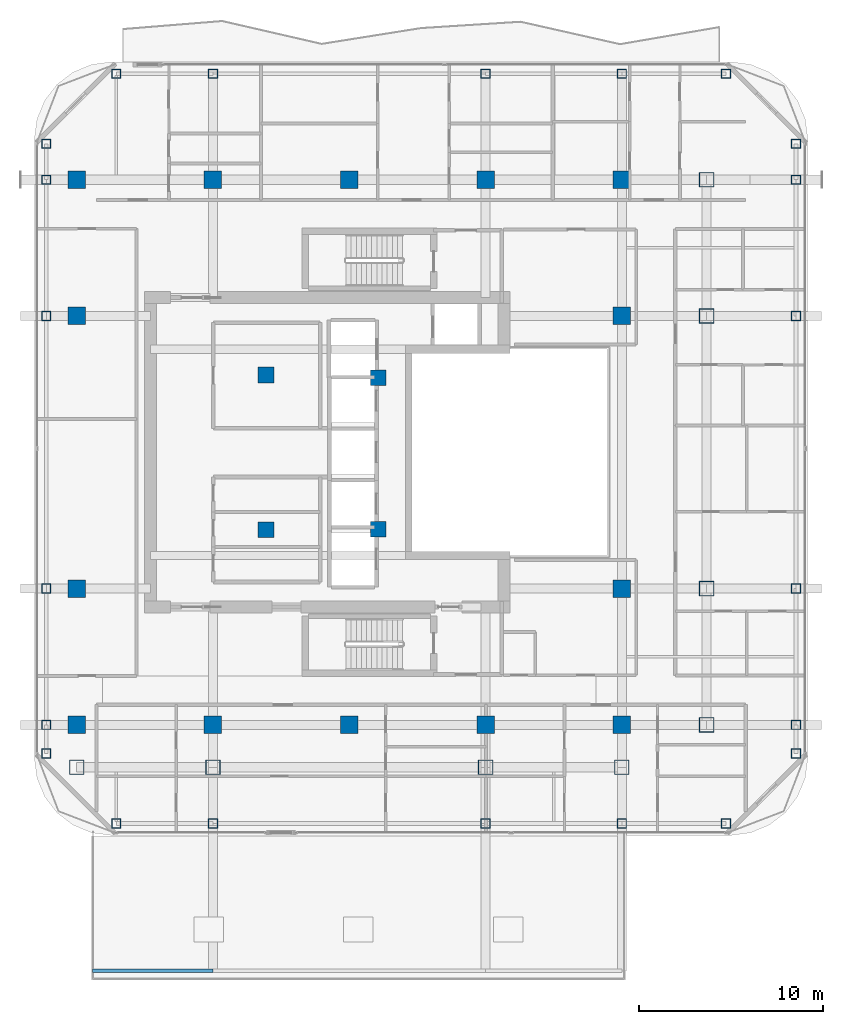
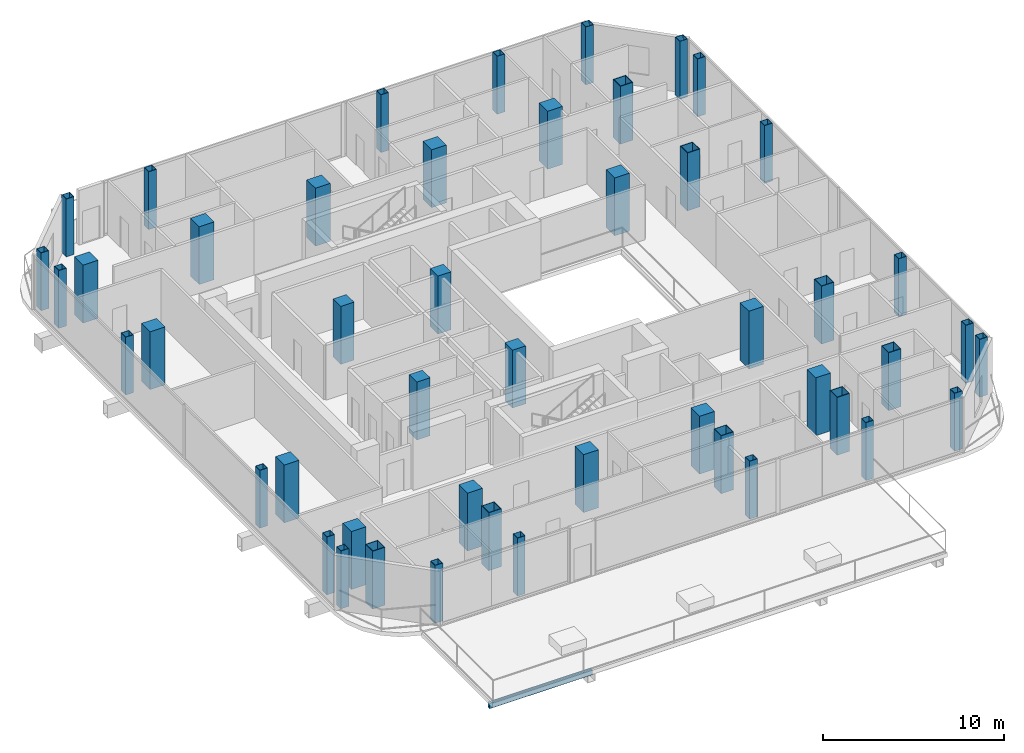
# One storey, part 1 of 25: 48 columns, 1 beam.
"""IFC4 building model written with IfcOpenShell, lengths in metres."""

import ifcopenshell
import ifcopenshell.guid

model = None  # the IFC model being written
_history = None  # IfcOwnerHistory: only IFC2X3 demands one
_inside = {}  # id of a spatial element -> (the spatial element, [elements in it])
_under = {}  # id of a project, library or spatial element -> (it, [spatial elements below it])
_declared = {}  # id of a project -> (the project, [libraries it declares])
_typed = {}  # id of a type object -> (the type object, [elements of that type])
_made_of = {}  # id of a material, layer set ... -> (it, [elements and type objects made of it])


def new_model(schema):
    """Start an empty IFC model of exactly this schema.

    Asked for "IFC4X3", IfcOpenShell would pick the latest addendum, in which some entities
    have other attributes; the version numbers below select the first issue.
    IFC2X3 requires an IfcOwnerHistory on every rooted entity: one is made here for all.
    """
    global model, _history
    if schema == "IFC4X3":
        model = ifcopenshell.file(schema_version=(4, 3, 0, 0))
    else:
        model = ifcopenshell.file(schema=schema)
    _inside.clear()
    _under.clear()
    _declared.clear()
    _typed.clear()
    _made_of.clear()
    _history = None
    if model.schema == "IFC2X3":
        org = make("IfcOrganization", Name="unknown")
        user = make(
            "IfcPersonAndOrganization",
            ThePerson=make("IfcPerson", FamilyName="unknown"),
            TheOrganization=org,
        )
        app = make(
            "IfcApplication",
            ApplicationDeveloper=org,
            Version="unknown",
            ApplicationFullName="unknown",
            ApplicationIdentifier="unknown",
        )
        _history = make(
            "IfcOwnerHistory",
            OwningUser=user,
            OwningApplication=app,
            ChangeAction="ADDED",
            CreationDate=0,
        )
    return model


def make(cls, **values):
    """One entity of the class cls with the attributes given. An attribute that is None is left unset."""
    return model.create_entity(
        cls, **{name: value for name, value in values.items() if value is not None}
    )


def rooted(cls, **values):
    """An entity with a GlobalId (a new one), such as an element, a storey or a relation."""
    return make(cls, GlobalId=ifcopenshell.guid.new(), OwnerHistory=_history, **values)


def si_unit(unit_type, name, prefix=None):
    """IfcSIUnit, for example si_unit("LENGTHUNIT", "METRE", prefix="MILLI")."""
    return make("IfcSIUnit", UnitType=unit_type, Prefix=prefix, Name=name)


def assignment(units):
    """IfcUnitAssignment: the units of a project."""
    return None if units is None else make("IfcUnitAssignment", Units=units)


def point(xyz):
    """IfcCartesianPoint."""
    return None if xyz is None else make("IfcCartesianPoint", Coordinates=xyz)


def direction(xyz):
    """IfcDirection."""
    return None if xyz is None else make("IfcDirection", DirectionRatios=xyz)


def frame(location, z_axis=None, x_axis=None):
    """IfcAxis2Placement3D, a coordinate frame: its origin and axes. An axis left out is left unset."""
    return make(
        "IfcAxis2Placement3D",
        Location=point(location),
        Axis=direction(z_axis),
        RefDirection=direction(x_axis),
    )


def frame_2d(location, x_axis=None):
    """IfcAxis2Placement2D, a coordinate frame in the plane: its origin and x axis."""
    return make(
        "IfcAxis2Placement2D", Location=point(location), RefDirection=direction(x_axis)
    )


def origin():
    """The frame at (0, 0, 0) with its axes left unset."""
    return frame((0.0, 0.0, 0.0))


def origin_2d():
    """The frame at (0, 0) in the plane with its x axis left unset."""
    return frame_2d((0.0, 0.0))


def place(relative_to, where):
    """IfcLocalPlacement: puts the frame where relative to a parent placement (None: the world)."""
    return make(
        "IfcLocalPlacement", PlacementRelTo=relative_to, RelativePlacement=where
    )


def context(
    kind, dimensions, precision=None, world=None, true_north=None, identifier=None
):
    """IfcGeometricRepresentationContext, for example the 3D "Model" context."""
    return make(
        "IfcGeometricRepresentationContext",
        ContextIdentifier=identifier,
        ContextType=kind,
        CoordinateSpaceDimension=dimensions,
        Precision=precision,
        WorldCoordinateSystem=world,
        TrueNorth=true_north,
    )


def subcontext(parent, identifier, kind, view, scale=None):
    """IfcGeometricRepresentationSubContext, for example "Body" below "Model"."""
    return make(
        "IfcGeometricRepresentationSubContext",
        ContextIdentifier=identifier,
        ContextType=kind,
        ParentContext=parent,
        TargetScale=scale,
        TargetView=view,
    )


def project(units=None, contexts=None):
    """IfcProject with its units and contexts."""
    return rooted(
        "IfcProject",
        Name="project",
        RepresentationContexts=contexts,
        UnitsInContext=assignment(units),
    )


def spatial(cls, under=None, at=None, **own):
    """A site, building, storey or space (cls), placed at a placement, below another one or the project."""
    s = rooted(cls, ObjectPlacement=at, **own)
    if under is not None:
        _under.setdefault(under.id(), (under, []))[1].append(s)
    return s


def profile(cls, at=None, kind="AREA", **sizes):
    """A parametric profile (cls). Its sizes go by their IFC names, for example OverallWidth=200.0."""
    return make(cls, ProfileType=kind, Position=at, **sizes)


def rectangle(**sizes):
    """IfcRectangleProfileDef."""
    return profile("IfcRectangleProfileDef", **sizes)


def hollow_rectangle(**sizes):
    """IfcRectangleHollowProfileDef."""
    return profile("IfcRectangleHollowProfileDef", **sizes)


def extrude(swept, where, along, depth):
    """IfcExtrudedAreaSolid: the profile swept, set in the frame where, extruded along a direction by depth."""
    return make(
        "IfcExtrudedAreaSolid",
        SweptArea=swept,
        Position=where,
        ExtrudedDirection=direction(along),
        Depth=depth,
    )


def shape(context_of_items, identifier, shape_type, items):
    """IfcShapeRepresentation: the items that make up one representation, for example the "Body"."""
    return make(
        "IfcShapeRepresentation",
        ContextOfItems=context_of_items,
        RepresentationIdentifier=identifier,
        RepresentationType=shape_type,
        Items=items,
    )


def material(Name=None, Category=None):
    """IfcMaterial."""
    return make("IfcMaterial", Name=Name, Category=Category)


def material_profile(
    of_material, cross_section, Name=None, Category=None, Priority=None
):
    """IfcMaterialProfile: a cross section and its material."""
    return make(
        "IfcMaterialProfile",
        Name=Name,
        Material=of_material,
        Profile=cross_section,
        Priority=Priority,
        Category=Category,
    )


def profile_set(profiles, Name=None, composite=None):
    """IfcMaterialProfileSet."""
    return make(
        "IfcMaterialProfileSet",
        Name=Name,
        MaterialProfiles=profiles,
        CompositeProfile=composite,
    )


def made_of(thing, what):
    """Note that an element or type object is made of a material, layer set ...; save() writes the relation."""
    if what is not None:
        _made_of.setdefault(what.id(), (what, []))[1].append(thing)
    return thing


def type_object(cls, material=None, **own):
    """A type object (cls), such as IfcWallType, which elements share."""
    return made_of(rooted(cls, **own), material)


def element(
    cls,
    number,
    at=None,
    inside=None,
    cuts=None,
    type_object=None,
    material=None,
    context=None,
    identifier="Body",
    shape_type=None,
    held_by="IfcProductDefinitionShape",
    body=None,
    shapes=None,
    **own,
):
    """One element of the class cls, such as IfcWall. Its Tag is "e" and its number.

    at: its placement. inside: the storey or other place that contains it. cuts: it is an
    opening in that element (IfcRelVoidsElement). A single representation is given by context,
    identifier, shape_type and body (its items); several are given by shapes. held_by: the class
    of the entity that holds the representations. save() writes the other relations.
    """
    e = rooted(cls, Tag="e%d" % number, ObjectPlacement=at, **own)
    if body is not None:
        shapes = [shape(context, identifier, shape_type, body)]
    if shapes is not None:
        e.Representation = make(held_by, Representations=shapes)
    if inside is not None:
        _inside.setdefault(inside.id(), (inside, []))[1].append(e)
    if cuts is not None:
        rooted(
            "IfcRelVoidsElement", RelatingBuildingElement=cuts, RelatedOpeningElement=e
        )
    if type_object is not None:
        _typed.setdefault(type_object.id(), (type_object, []))[1].append(e)
    return made_of(e, material)


def aggregate(whole, parts):
    """IfcRelAggregates: a whole, such as a stair, and the parts it consists of."""
    return rooted("IfcRelAggregates", RelatingObject=whole, RelatedObjects=parts)


def save(model, path):
    """Write the relations noted so far, then the file.

    IfcRelAggregates (storeys below a building ...), IfcRelContainedInSpatialStructure (elements
    in a storey), IfcRelDefinesByType, IfcRelAssociatesMaterial and IfcRelDeclares: one each for
    every whole, place, type object, material and project.
    """
    for whole, parts in _under.values():
        aggregate(whole, parts)
    for where, things in _inside.values():
        rooted(
            "IfcRelContainedInSpatialStructure",
            RelatedElements=things,
            RelatingStructure=where,
        )
    for kind, things in _typed.values():
        rooted("IfcRelDefinesByType", RelatedObjects=things, RelatingType=kind)
    for what, things in _made_of.values():
        rooted("IfcRelAssociatesMaterial", RelatedObjects=things, RelatingMaterial=what)
    for by, libraries in _declared.values():
        rooted("IfcRelDeclares", RelatingContext=by, RelatedDefinitions=libraries)
    model.write(path)


model = new_model("IFC4")

# Units and contexts
model_context = context("Model", 3, precision=1e-05, world=origin(), true_north=direction((0.0, 1.0)))
body_context = subcontext(model_context, "Body", "Model", "MODEL_VIEW")
ifc_project = project(units=[si_unit("LENGTHUNIT", "METRE"), si_unit("AREAUNIT", "SQUARE_METRE"), si_unit("VOLUMEUNIT", "CUBIC_METRE"), si_unit("PLANEANGLEUNIT", "RADIAN"), si_unit("MASSUNIT", "GRAM", prefix="KILO")], contexts=[model_context])

# Site, building, storey
site_placement = place(None, origin())
site = spatial("IfcSite", under=ifc_project, at=site_placement, CompositionType="ELEMENT")
building_placement = place(site_placement, origin())
building = spatial("IfcBuilding", under=site, at=building_placement, Name="Khorvyn Point Tower", CompositionType="ELEMENT")
storey_placement = place(building_placement, frame((0.0, 0.0, 254.699951171875)))
storey = spatial("IfcBuildingStorey", under=building, at=storey_placement, Name="L62", CompositionType="ELEMENT", Elevation=254.699951171875)

# Columns
ifc_material_1 = material(Name="Concrete C40/50", Category="concrete")
ifc_material_profile_1 = material_profile(ifc_material_1, rectangle(XDim=0.85009765625, YDim=0.85009765625, at=origin_2d()))
ifc_profile_set_1 = profile_set([ifc_material_profile_1], Name="Concrete C40/50 RC850x850")
column_type_1 = type_object("IfcColumnType", Name="Concrete C40/50 Column RC850x850", PredefinedType="COLUMN", material=ifc_profile_set_1)
for number, where, z_axis, x_axis, name in (
    (1, (-4.52001953125, -4.199951171875, 0.0), (0.0, 0.0, 1.0), (1.0, 0.0, 0.0), "L62 Crown Core Spine Column 1"),
    (2, (1.580078125, -4.179931640625, 0.0), (0.0, 0.0, 1.0), (1.0, 0.0, 0.0), "L62 Crown Core Spine Column 2"),
    (3, (1.580078125, 4.050048828125, 0.0), (0.0, 0.0, 1.0), (1.0, 0.0, 0.0), "L62 Crown Core Spine Column 3"),
    (4, (-4.52001953125, 4.199951171875, 0.0), (0.0, 0.0, 1.0), (1.0, 0.0, 0.0), "L62 Crown Core Spine Column 4"),
):
    element("IfcColumn", number, at=place(storey_placement, frame(where, z_axis=z_axis, x_axis=x_axis)), inside=storey, type_object=column_type_1, Name=name, PredefinedType="COLUMN", context=body_context, shape_type="SweptSolid", body=[
        extrude(rectangle(XDim=0.85009765625, YDim=0.85009765625, at=origin_2d()), origin(), (0.0, 0.0, 1.0), 3.900146484375),
    ])
ifc_material_profile_2 = material_profile(ifc_material_1, rectangle(XDim=0.949951171875, YDim=0.949951171875, at=origin_2d()))
ifc_profile_set_2 = profile_set([ifc_material_profile_2], Name="Concrete C40/50 RC950x950")
column_type_2 = type_object("IfcColumnType", Name="Concrete C40/50 Column RC950x950", PredefinedType="COLUMN", material=ifc_profile_set_2)
for number, where, z_axis, x_axis, name in (
    (5, (-14.800048828125, -14.800048828125, 0.0), (0.0, 0.0, 1.0), (1.0, 0.0, 0.0), "L62 Mega-Column MC-01"),
    (6, (-7.39990234375, -14.800048828125, 0.0), (0.0, 0.0, 1.0), (1.0, 0.0, 0.0), "L62 Mega-Column MC-02"),
    (7, (0.0, -14.800048828125, 0.0), (0.0, 0.0, 1.0), (1.0, 0.0, 0.0), "L62 Mega-Column MC-03"),
    (8, (7.39990234375, -14.800048828125, 0.0), (0.0, 0.0, 1.0), (1.0, 0.0, 0.0), "L62 Mega-Column MC-04"),
    (9, (14.800048828125, -14.800048828125, 0.0), (0.0, 0.0, 1.0), (1.0, 0.0, 0.0), "L62 Mega-Column MC-05"),
    (10, (-14.800048828125, 14.800048828125, 0.0), (0.0, 0.0, 1.0), (1.0, 0.0, 0.0), "L62 Mega-Column MC-06"),
    (11, (-7.39990234375, 14.800048828125, 0.0), (0.0, 0.0, 1.0), (1.0, 0.0, 0.0), "L62 Mega-Column MC-07"),
    (12, (0.0, 14.800048828125, 0.0), (0.0, 0.0, 1.0), (1.0, 0.0, 0.0), "L62 Mega-Column MC-08"),
    (13, (7.39990234375, 14.800048828125, 0.0), (0.0, 0.0, 1.0), (1.0, 0.0, 0.0), "L62 Mega-Column MC-09"),
    (14, (14.800048828125, 14.800048828125, 0.0), (0.0, 0.0, 1.0), (1.0, 0.0, 0.0), "L62 Mega-Column MC-10"),
    (15, (-14.800048828125, -7.39990234375, 0.0), (0.0, 0.0, 1.0), (1.0, 0.0, 0.0), "L62 Mega-Column MC-11"),
    (16, (-14.800048828125, 7.39990234375, 0.0), (0.0, 0.0, 1.0), (1.0, 0.0, 0.0), "L62 Mega-Column MC-12"),
    (17, (14.800048828125, -7.39990234375, 0.0), (0.0, 0.0, 1.0), (1.0, 0.0, 0.0), "L62 Mega-Column MC-13"),
    (18, (14.800048828125, 7.39990234375, 0.0), (0.0, 0.0, 1.0), (1.0, 0.0, 0.0), "L62 Mega-Column MC-14"),
):
    element("IfcColumn", number, at=place(storey_placement, frame(where, z_axis=z_axis, x_axis=x_axis)), inside=storey, type_object=column_type_2, Name=name, PredefinedType="COLUMN", context=body_context, shape_type="SweptSolid", body=[
        extrude(rectangle(XDim=0.949951171875, YDim=0.949951171875, at=origin_2d()), origin(), (0.0, 0.0, 1.0), 3.900146484375),
    ])
ifc_material_2 = material(Name="Steel S355", Category="steel")
ifc_material_profile_3 = material_profile(ifc_material_2, hollow_rectangle(XDim=0.5, YDim=0.5, WallThickness=0.02490234375, at=origin_2d()))
ifc_profile_set_3 = profile_set([ifc_material_profile_3], Name="Steel S355 BOX500x500x25")
column_type_3 = type_object("IfcColumnType", Name="Steel S355 Structural Column BOX500x500x25", PredefinedType="COLUMN", material=ifc_profile_set_3)
for number, where, z_axis, x_axis, name in (
    (19, (-12.64990234375, -20.14990234375, 0.0), (0.0, 0.0, 1.0), (1.0, 0.0, 0.0), "L62 Perimeter Tube Column TC-01"),
    (20, (20.449951171875, -20.14990234375, 0.0), (0.0, 0.0, 1.0), (1.0, 0.0, 0.0), "L62 Perimeter Tube Column TC-02"),
    (21, (-12.64990234375, 20.550048828125, 0.0), (0.0, 0.0, 1.0), (1.0, 0.0, 0.0), "L62 Perimeter Tube Column TC-03"),
    (22, (20.449951171875, 20.550048828125, 0.0), (0.0, 0.0, 1.0), (1.0, 0.0, 0.0), "L62 Perimeter Tube Column TC-04"),
    (23, (-16.449951171875, -16.35009765625, 0.0), (0.0, 0.0, 1.0), (1.0, 0.0, 0.0), "L62 Perimeter Tube Column TC-05"),
    (24, (-16.449951171875, 16.75, 0.0), (0.0, 0.0, 1.0), (1.0, 0.0, 0.0), "L62 Perimeter Tube Column TC-06"),
    (25, (24.25, -16.35009765625, 0.0), (0.0, 0.0, 1.0), (1.0, 0.0, 0.0), "L62 Perimeter Tube Column TC-07"),
    (26, (24.25, 16.75, 0.0), (0.0, 0.0, 1.0), (1.0, 0.0, 0.0), "L62 Perimeter Tube Column TC-08"),
    (27, (-7.39990234375, -20.14990234375, 0.0), (0.0, 0.0, 1.0), (1.0, 0.0, 0.0), "L62 Perimeter Tube Column TC-09"),
    (28, (-7.39990234375, 20.550048828125, 0.0), (0.0, 0.0, 1.0), (1.0, 0.0, 0.0), "L62 Perimeter Tube Column TC-10"),
    (29, (7.39990234375, -20.14990234375, 0.0), (0.0, 0.0, 1.0), (1.0, 0.0, 0.0), "L62 Perimeter Tube Column TC-11"),
    (30, (7.39990234375, 20.550048828125, 0.0), (0.0, 0.0, 1.0), (1.0, 0.0, 0.0), "L62 Perimeter Tube Column TC-12"),
    (31, (14.800048828125, -20.14990234375, 0.0), (0.0, 0.0, 1.0), (1.0, 0.0, 0.0), "L62 Perimeter Tube Column TC-13"),
    (32, (14.800048828125, 20.550048828125, 0.0), (0.0, 0.0, 1.0), (1.0, 0.0, 0.0), "L62 Perimeter Tube Column TC-14"),
    (33, (-16.449951171875, -14.800048828125, 0.0), (0.0, 0.0, 1.0), (1.0, 0.0, 0.0), "L62 Perimeter Tube Column TC-15"),
    (34, (24.25, -14.800048828125, 0.0), (0.0, 0.0, 1.0), (1.0, 0.0, 0.0), "L62 Perimeter Tube Column TC-16"),
    (35, (-16.449951171875, -7.39990234375, 0.0), (0.0, 0.0, 1.0), (1.0, 0.0, 0.0), "L62 Perimeter Tube Column TC-17"),
    (36, (24.25, -7.39990234375, 0.0), (0.0, 0.0, 1.0), (1.0, 0.0, 0.0), "L62 Perimeter Tube Column TC-18"),
    (37, (-16.449951171875, 7.39990234375, 0.0), (0.0, 0.0, 1.0), (1.0, 0.0, 0.0), "L62 Perimeter Tube Column TC-19"),
    (38, (24.25, 7.39990234375, 0.0), (0.0, 0.0, 1.0), (1.0, 0.0, 0.0), "L62 Perimeter Tube Column TC-20"),
    (39, (-16.449951171875, 14.800048828125, 0.0), (0.0, 0.0, 1.0), (1.0, 0.0, 0.0), "L62 Perimeter Tube Column TC-21"),
    (40, (24.25, 14.800048828125, 0.0), (0.0, 0.0, 1.0), (1.0, 0.0, 0.0), "L62 Perimeter Tube Column TC-22"),
):
    element("IfcColumn", number, at=place(storey_placement, frame(where, z_axis=z_axis, x_axis=x_axis)), inside=storey, type_object=column_type_3, Name=name, PredefinedType="COLUMN", context=body_context, shape_type="SweptSolid", body=[
        extrude(hollow_rectangle(XDim=0.5, YDim=0.5, WallThickness=0.02490234375, at=origin_2d()), origin(), (0.0, 0.0, 1.0), 3.900146484375),
    ])
ifc_material_3 = material(Name="Steel S450", Category="steel")
ifc_material_profile_4 = material_profile(ifc_material_3, hollow_rectangle(XDim=0.800048828125, YDim=0.800048828125, WallThickness=0.035888671875, at=origin_2d()))
ifc_profile_set_4 = profile_set([ifc_material_profile_4], Name="Steel S450 BOX800x800x36")
column_type_4 = type_object("IfcColumnType", Name="Steel S450 Structural Column BOX800x800x36", PredefinedType="COLUMN", material=ifc_profile_set_4)
for number, where, z_axis, x_axis, name in (
    (41, (19.39990234375, -14.800048828125, 0.0), (0.0, 0.0, 1.0), (1.0, 0.0, 0.0), "L62 Intermediate Column ICE--14"),
    (42, (19.39990234375, -7.39990234375, 0.0), (0.0, 0.0, 1.0), (1.0, 0.0, 0.0), "L62 Intermediate Column ICE--7"),
    (43, (19.39990234375, 7.39990234375, 0.0), (0.0, 0.0, 1.0), (1.0, 0.0, 0.0), "L62 Intermediate Column ICE-7"),
    (44, (19.39990234375, 14.800048828125, 0.0), (0.0, 0.0, 1.0), (1.0, 0.0, 0.0), "L62 Intermediate Column ICE-14"),
    (45, (-14.800048828125, -17.10009765625, 0.0), (0.0, 0.0, 1.0), (1.0, 0.0, 0.0), "L62 Intermediate Column ICS--14"),
    (46, (-7.39990234375, -17.10009765625, 0.0), (0.0, 0.0, 1.0), (1.0, 0.0, 0.0), "L62 Intermediate Column ICS--7"),
    (47, (7.39990234375, -17.10009765625, 0.0), (0.0, 0.0, 1.0), (1.0, 0.0, 0.0), "L62 Intermediate Column ICS-7"),
    (48, (14.800048828125, -17.10009765625, 0.0), (0.0, 0.0, 1.0), (1.0, 0.0, 0.0), "L62 Intermediate Column ICS-14"),
):
    element("IfcColumn", number, at=place(storey_placement, frame(where, z_axis=z_axis, x_axis=x_axis)), inside=storey, type_object=column_type_4, Name=name, PredefinedType="COLUMN", context=body_context, shape_type="SweptSolid", body=[
        extrude(hollow_rectangle(XDim=0.800048828125, YDim=0.800048828125, WallThickness=0.035888671875, at=origin_2d()), origin(), (0.0, 0.0, 1.0), 3.900146484375),
    ])

# Beam
ifc_material_profile_5 = material_profile(ifc_material_2, hollow_rectangle(XDim=0.199951171875, YDim=0.35009765625, WallThickness=0.013916015625, at=origin_2d()))
ifc_profile_set_5 = profile_set([ifc_material_profile_5], Name="Steel S355 RHS350x200x14")
beam_type = type_object("IfcBeamType", Name="Steel S355 Spandrel RHS350x200x14", PredefinedType="SPANDREL", material=ifc_profile_set_5)
beam_placement = place(storey_placement, frame((-13.949951171875, -28.14990234375, -0.454833984375), z_axis=(1.0, 0.0, 0.0), x_axis=(0.0, 1.0, 0.0)))
element("IfcBeam", 49, at=beam_placement, inside=storey, type_object=beam_type, Name="Beam", PredefinedType="SPANDREL", context=body_context, shape_type="SweptSolid", body=[
    extrude(hollow_rectangle(XDim=0.199951171875, YDim=0.35009765625, WallThickness=0.013916015625, at=origin_2d()), origin(), (0.0, 0.0, 1.0), 6.550048828125),
])

save(model, "model.ifc")
